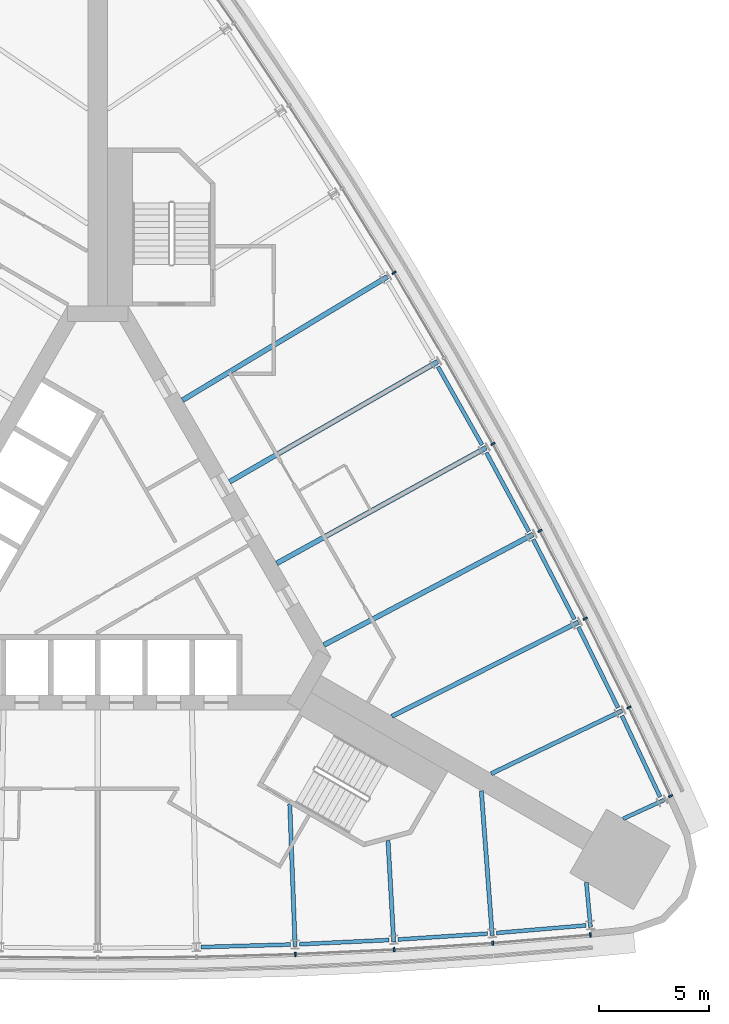
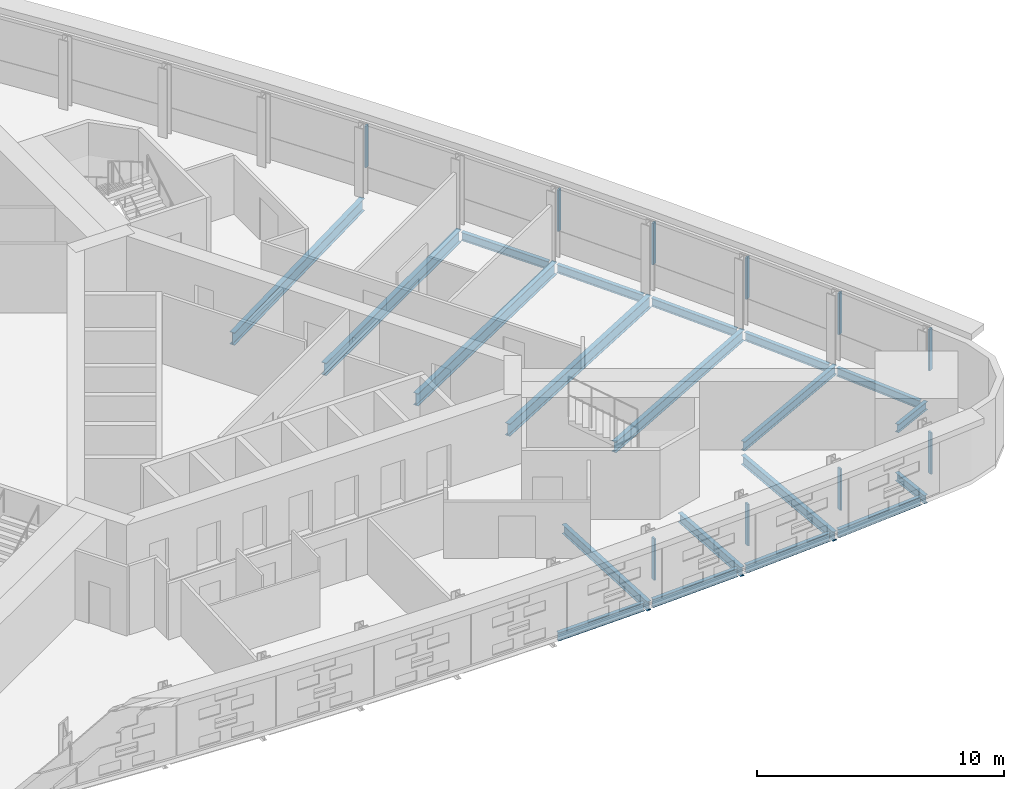
# One storey, part 6 of 14: 20 beams, 10 members, 2 elements without a shape of their own.
"""IFC4 building model written with IfcOpenShell, lengths in metres."""

from ifc_helpers import new_model, si_unit, direction, frame, origin, origin_2d, place, context, subcontext, project, spatial, rectangle, i_section, extrude, material, material_profile, profile_set, type_object, element, aggregate, save


model = new_model("IFC4")

# Units and contexts
model_context = context("Model", 3, precision=1e-05, world=origin(), true_north=direction((0.0, 1.0)))
body_context = subcontext(model_context, "Body", "Model", "MODEL_VIEW")
ifc_project = project(units=[si_unit("LENGTHUNIT", "METRE"), si_unit("AREAUNIT", "SQUARE_METRE"), si_unit("VOLUMEUNIT", "CUBIC_METRE"), si_unit("PLANEANGLEUNIT", "RADIAN"), si_unit("MASSUNIT", "GRAM", prefix="KILO")], contexts=[model_context])

# Site, building, storey
site_placement = place(None, origin())
site = spatial("IfcSite", under=ifc_project, at=site_placement, CompositionType="ELEMENT")
building_placement = place(site_placement, origin())
building = spatial("IfcBuilding", under=site, at=building_placement, Name="Noor Cloister Tower", CompositionType="ELEMENT")
storey_placement = place(building_placement, frame((0.0, 0.0, 42.0)))
storey = spatial("IfcBuildingStorey", under=building, at=storey_placement, Name="L10", CompositionType="ELEMENT", Elevation=42.0)

# Curtain wall, members
ifc_material_1 = material(Name="Aluminium 6063-T6 anodised", Category="aluminium")
curtain_wall_type = type_object("IfcCurtainWallType", Name="Ribbon curtain wall, lower tower CW1", PredefinedType="NOTDEFINED", material=ifc_material_1)
curtain_wall_1_placement = place(storey_placement, origin())
curtain_wall_1 = element("IfcCurtainWall", 1, at=curtain_wall_1_placement, inside=storey, type_object=curtain_wall_type, Name="CW1 L10 S run 2", PredefinedType="NOTDEFINED")
ifc_material_2 = material(Name="Aluminium 6063-T6 anodised", Category="aluminium")
ifc_material_profile_1 = material_profile(ifc_material_2, rectangle(XDim=0.199951171875, YDim=0.080078125, at=origin_2d()), Name="200 x 80 mullion")
ifc_profile_set_1 = profile_set([ifc_material_profile_1], Name="Aluminium 6063-T6 anodised")
member_type = type_object("IfcMemberType", Name="Mullion CW1 80 x 200", PredefinedType="MULLION", material=ifc_profile_set_1)
member_1_placement = place(storey_placement, frame((8.994140625, -18.038330078125, 1.10009765625), z_axis=(0.0, 0.0, 1.0), x_axis=(-0.037446096272, 0.99929864899, 0.0)))
member_1 = element("IfcMember", 2, at=member_1_placement, type_object=member_type, Name="CW1 mullion 8", PredefinedType="MULLION", context=body_context, shape_type="SweptSolid", body=[
    extrude(rectangle(XDim=0.199951171875, YDim=0.080078125, at=origin_2d()), origin(), (0.0, 0.0, 1.0), 2.0498046875),
])
member_2_placement = place(storey_placement, frame((13.4873046875, -17.827880859375, 1.10009765625), z_axis=(0.0, 0.0, 1.0), x_axis=(-0.056152719394, 0.998422191312, 0.0)))
member_2 = element("IfcMember", 3, at=member_2_placement, type_object=member_type, Name="CW1 mullion 9", PredefinedType="MULLION", context=body_context, shape_type="SweptSolid", body=[
    extrude(rectangle(XDim=0.199951171875, YDim=0.080078125, at=origin_2d()), origin(), (0.0, 0.0, 1.0), 2.0498046875),
])
member_3_placement = place(storey_placement, frame((17.9755859375, -17.533203125, 1.10009765625), z_axis=(0.0, 0.0, 1.0), x_axis=(-0.074839666829, 0.997195579748, 0.0)))
member_3 = element("IfcMember", 4, at=member_3_placement, type_object=member_type, Name="CW1 mullion 10", PredefinedType="MULLION", context=body_context, shape_type="SweptSolid", body=[
    extrude(rectangle(XDim=0.199951171875, YDim=0.080078125, at=origin_2d()), origin(), (0.0, 0.0, 1.0), 2.0498046875),
])
member_4_placement = place(storey_placement, frame((22.4189453125, -17.157958984375, 1.10009765625), z_axis=(0.0, 0.0, 1.0), x_axis=(-0.084173698584, 0.996451096877, 0.0)))
member_4 = element("IfcMember", 5, at=member_4_placement, type_object=member_type, Name="CW1 mullion 11", PredefinedType="MULLION", context=body_context, shape_type="SweptSolid", body=[
    extrude(rectangle(XDim=0.199951171875, YDim=0.080078125, at=origin_2d()), origin(), (0.0, 0.0, 1.0), 2.0498046875),
])
aggregate(curtain_wall_1, [member_1, member_2, member_3, member_4])

curtain_wall_2_placement = place(storey_placement, origin())
curtain_wall_2 = element("IfcCurtainWall", 6, at=curtain_wall_2_placement, inside=storey, type_object=curtain_wall_type, Name="CW1 L10 NE run 3", PredefinedType="NOTDEFINED")
member_5_placement = place(storey_placement, frame((26.068603515625, -10.83642578125, 1.10009765625), z_axis=(0.0, 0.0, 1.0), x_axis=(-0.905038812816, -0.425328987134, 0.0)))
member_5 = element("IfcMember", 7, at=member_5_placement, type_object=member_type, Name="CW1 mullion 1", PredefinedType="MULLION", context=body_context, shape_type="SweptSolid", body=[
    extrude(rectangle(XDim=0.199951171875, YDim=0.080078125, at=origin_2d()), origin(), (0.0, 0.0, 1.0), 2.0498046875),
])
member_6_placement = place(storey_placement, frame((24.172119140625, -6.80078125, 1.10009765625), z_axis=(0.0, 0.0, 1.0), x_axis=(-0.901016538018, -0.43378473719, 0.0)))
member_6 = element("IfcMember", 8, at=member_6_placement, type_object=member_type, Name="CW1 mullion 2", PredefinedType="MULLION", context=body_context, shape_type="SweptSolid", body=[
    extrude(rectangle(XDim=0.199951171875, YDim=0.080078125, at=origin_2d()), origin(), (0.0, 0.0, 1.0), 2.0498046875),
])
member_7_placement = place(storey_placement, frame((22.18310546875, -2.766357421875, 1.10009765625), z_axis=(0.0, 0.0, 1.0), x_axis=(-0.892735341075, -0.450581414169, 0.0)))
member_7 = element("IfcMember", 9, at=member_7_placement, type_object=member_type, Name="CW1 mullion 3", PredefinedType="MULLION", context=body_context, shape_type="SweptSolid", body=[
    extrude(rectangle(XDim=0.199951171875, YDim=0.080078125, at=origin_2d()), origin(), (0.0, 0.0, 1.0), 2.0498046875),
])
member_8_placement = place(storey_placement, frame((20.11865234375, 1.22998046875, 1.10009765625), z_axis=(0.0, 0.0, 1.0), x_axis=(-0.884141064129, -0.467220053851, 0.0)))
member_8 = element("IfcMember", 10, at=member_8_placement, type_object=member_type, Name="CW1 mullion 4", PredefinedType="MULLION", context=body_context, shape_type="SweptSolid", body=[
    extrude(rectangle(XDim=0.199951171875, YDim=0.080078125, at=origin_2d()), origin(), (0.0, 0.0, 1.0), 2.0498046875),
])
member_9_placement = place(storey_placement, frame((17.97998046875, 5.18701171875, 1.10009765625), z_axis=(0.0, 0.0, 1.0), x_axis=(-0.875236705229, -0.483694851967, 0.0)))
member_9 = element("IfcMember", 11, at=member_9_placement, type_object=member_type, Name="CW1 mullion 5", PredefinedType="MULLION", context=body_context, shape_type="SweptSolid", body=[
    extrude(rectangle(XDim=0.199951171875, YDim=0.080078125, at=origin_2d()), origin(), (0.0, 0.0, 1.0), 2.0498046875),
])
member_10_placement = place(storey_placement, frame((13.482177734375, 12.9775390625, 1.10009765625), z_axis=(0.0, 0.0, 1.0), x_axis=(-0.856510382098, -0.51612979507, 0.0)))
member_10 = element("IfcMember", 12, at=member_10_placement, type_object=member_type, Name="CW1 mullion 7", PredefinedType="MULLION", context=body_context, shape_type="SweptSolid", body=[
    extrude(rectangle(XDim=0.199951171875, YDim=0.080078125, at=origin_2d()), origin(), (0.0, 0.0, 1.0), 2.0498046875),
])
aggregate(curtain_wall_2, [member_5, member_6, member_7, member_8, member_9, member_10])

# Beams
ifc_material_3 = material(Name="Steel ASTM A992 Gr 50", Category="steel")
ifc_material_profile_2 = material_profile(ifc_material_3, i_section(OverallWidth=0.177978515625, OverallDepth=0.406005859375, WebThickness=0.0078125, FlangeThickness=0.0126953125, FilletRadius=0.01025390625, at=origin_2d()), Name="W410x60")
ifc_profile_set_2 = profile_set([ifc_material_profile_2], Name="Steel ASTM A992 Gr 50")
beam_type_1 = type_object("IfcBeamType", Name="Radial beam W410x60", PredefinedType="BEAM", material=ifc_profile_set_2)
for number, where, z_axis, x_axis, name in (
    (13, (22.4248046875, -16.80322265625, -0.403076171875), (-0.093533376396, 0.995616144656, 0.0), (-0.995616144656, -0.093533376396, 0.0), "Radial beam S 11 L10"),
    (14, (25.764404296875, -11.018798828125, -0.403076171875), (-0.908989304817, -0.416819437801, 0.0), (0.416819437801, -0.908989304817, 0.0), "Radial beam NE 01 L10"),
):
    element("IfcBeam", number, at=place(storey_placement, frame(where, z_axis=z_axis, x_axis=x_axis)), inside=storey, type_object=beam_type_1, Name=name, PredefinedType="BEAM", context=body_context, shape_type="SweptSolid", body=[
        extrude(i_section(OverallWidth=0.177978515625, OverallDepth=0.406005859375, WebThickness=0.0078125, FlangeThickness=0.0126953125, FilletRadius=0.01025390625, at=origin_2d()), origin(), (0.0, 0.0, 1.0), 2.041259765625),
    ])
ifc_material_4 = material(Name="Steel ASTM A992 Gr 50", Category="steel")
ifc_material_profile_3 = material_profile(ifc_material_4, i_section(OverallWidth=0.19091796875, OverallDepth=0.45703125, WebThickness=0.009033203125, FlangeThickness=0.014404296875, FilletRadius=0.01025390625, at=origin_2d()), Name="W460x74")
ifc_profile_set_3 = profile_set([ifc_material_profile_3], Name="Steel ASTM A992 Gr 50")
beam_type_2 = type_object("IfcBeamType", Name="Radial beam W460x74", PredefinedType="BEAM", material=ifc_profile_set_3)
beam_1_placement = place(storey_placement, frame((8.98095703125, -17.685546875, -0.428466796875), z_axis=(-0.037464260675, 0.999297968162, 0.0), x_axis=(-0.999297968162, -0.037464260675, 0.0)))
element("IfcBeam", 15, at=beam_1_placement, inside=storey, type_object=beam_type_2, Name="Radial beam S 08 L10", PredefinedType="BEAM", context=body_context, shape_type="SweptSolid", body=[
    extrude(i_section(OverallWidth=0.19091796875, OverallDepth=0.45703125, WebThickness=0.009033203125, FlangeThickness=0.014404296875, FilletRadius=0.01025390625, at=origin_2d()), origin(), (0.0, 0.0, 1.0), 6.484130859375),
])
beam_2_placement = place(storey_placement, frame((13.467529296875, -17.475341796875, -0.428466796875), z_axis=(-0.05616516418, 0.998421491321, 0.0), x_axis=(-0.998421491321, -0.05616516418, 0.0)))
element("IfcBeam", 16, at=beam_2_placement, inside=storey, type_object=beam_type_2, Name="Radial beam S 09 L10", PredefinedType="BEAM", context=body_context, shape_type="SweptSolid", body=[
    extrude(i_section(OverallWidth=0.19091796875, OverallDepth=0.45703125, WebThickness=0.009033203125, FlangeThickness=0.014404296875, FilletRadius=0.01025390625, at=origin_2d()), origin(), (0.0, 0.0, 1.0), 4.62939453125),
])
beam_3_placement = place(storey_placement, frame((17.94921875, -17.18115234375, -0.428466796875), z_axis=(-0.074844186113, 0.997195240565, 0.0), x_axis=(-0.997195240565, -0.074844186113, 0.0)))
element("IfcBeam", 17, at=beam_3_placement, inside=storey, type_object=beam_type_2, Name="Radial beam S 10 L10", PredefinedType="BEAM", context=body_context, shape_type="SweptSolid", body=[
    extrude(i_section(OverallWidth=0.19091796875, OverallDepth=0.45703125, WebThickness=0.009033203125, FlangeThickness=0.014404296875, FilletRadius=0.01025390625, at=origin_2d()), origin(), (0.0, 0.0, 1.0), 6.602294921875),
])
beam_4_placement = place(storey_placement, frame((23.85400390625, -6.953857421875, -0.428466796875), z_axis=(-0.901019869253, -0.433777817795, 0.0), x_axis=(0.433777817795, -0.901019869253, 0.0)))
element("IfcBeam", 18, at=beam_4_placement, inside=storey, type_object=beam_type_2, Name="Radial beam NE 02 L10", PredefinedType="BEAM", context=body_context, shape_type="SweptSolid", body=[
    extrude(i_section(OverallWidth=0.19091796875, OverallDepth=0.45703125, WebThickness=0.009033203125, FlangeThickness=0.014404296875, FilletRadius=0.01025390625, at=origin_2d()), origin(), (0.0, 0.0, 1.0), 6.6025390625),
])
ifc_material_5 = material(Name="Steel ASTM A992 Gr 50", Category="steel")
ifc_material_profile_4 = material_profile(ifc_material_5, i_section(OverallWidth=0.208984375, OverallDepth=0.532958984375, WebThickness=0.01025390625, FlangeThickness=0.015625, FilletRadius=0.0126953125, at=origin_2d()), Name="W530x92")
ifc_profile_set_4 = profile_set([ifc_material_profile_4], Name="Steel ASTM A992 Gr 50")
beam_type_3 = type_object("IfcBeamType", Name="Radial beam W530x92", PredefinedType="BEAM", material=ifc_profile_set_4)
beam_5_placement = place(storey_placement, frame((21.867919921875, -2.925537109375, -0.466552734375), z_axis=(-0.89274077649, -0.450570644841, 0.0), x_axis=(0.450570644841, -0.89274077649, 0.0)))
element("IfcBeam", 19, at=beam_5_placement, inside=storey, type_object=beam_type_3, Name="Radial beam NE 03 L10", PredefinedType="BEAM", context=body_context, shape_type="SweptSolid", body=[
    extrude(i_section(OverallWidth=0.208984375, OverallDepth=0.532958984375, WebThickness=0.01025390625, FlangeThickness=0.015625, FilletRadius=0.0126953125, at=origin_2d()), origin(), (0.0, 0.0, 1.0), 9.50341796875),
])
ifc_material_6 = material(Name="Steel ASTM A992 Gr 50", Category="steel")
ifc_material_profile_5 = material_profile(ifc_material_6, i_section(OverallWidth=0.22802734375, OverallDepth=0.60205078125, WebThickness=0.010498046875, FlangeThickness=0.014892578125, FilletRadius=0.0126953125, at=origin_2d()), Name="W610x101")
ifc_profile_set_5 = profile_set([ifc_material_profile_5], Name="Steel ASTM A992 Gr 50")
beam_type_4 = type_object("IfcBeamType", Name="Radial beam W610x101", PredefinedType="BEAM", material=ifc_profile_set_5)
beam_6_placement = place(storey_placement, frame((19.806640625, 1.065185546875, -0.5009765625), z_axis=(-0.884135761782, -0.467230087578, 0.0), x_axis=(0.467230087578, -0.884135761782, 0.0)))
element("IfcBeam", 20, at=beam_6_placement, inside=storey, type_object=beam_type_4, Name="Radial beam NE 04 L10", PredefinedType="BEAM", context=body_context, shape_type="SweptSolid", body=[
    extrude(i_section(OverallWidth=0.22802734375, OverallDepth=0.60205078125, WebThickness=0.010498046875, FlangeThickness=0.014892578125, FilletRadius=0.0126953125, at=origin_2d()), origin(), (0.0, 0.0, 1.0), 10.76513671875),
])
ifc_material_7 = material(Name="Steel ASTM A992 Gr 50", Category="steel")
ifc_material_profile_6 = material_profile(ifc_material_7, i_section(OverallWidth=0.22900390625, OverallDepth=0.612060546875, WebThickness=0.011962890625, FlangeThickness=0.01953125, FilletRadius=0.0126953125, at=origin_2d()), Name="W610x125")
ifc_profile_set_6 = profile_set([ifc_material_profile_6], Name="Steel ASTM A992 Gr 50")
beam_type_5 = type_object("IfcBeamType", Name="Radial beam W610x125", PredefinedType="BEAM", material=ifc_profile_set_6)
beam_7_placement = place(storey_placement, frame((17.671142578125, 5.016357421875, -0.506103515625), z_axis=(-0.875231041062, -0.48370510103, 0.0), x_axis=(0.48370510103, -0.875231041062, 0.0)))
element("IfcBeam", 21, at=beam_7_placement, inside=storey, type_object=beam_type_5, Name="Radial beam NE 05 L10", PredefinedType="BEAM", context=body_context, shape_type="SweptSolid", body=[
    extrude(i_section(OverallWidth=0.22900390625, OverallDepth=0.612060546875, WebThickness=0.011962890625, FlangeThickness=0.01953125, FilletRadius=0.0126953125, at=origin_2d()), origin(), (0.0, 0.0, 1.0), 10.885498046875),
])
beam_8_placement = place(storey_placement, frame((15.4619140625, 8.927001953125, -0.506103515625), z_axis=(-0.866023343127, -0.500003569146, 0.0), x_axis=(0.500003569146, -0.866023343127, 0.0)))
element("IfcBeam", 22, at=beam_8_placement, inside=storey, type_object=beam_type_5, Name="Radial beam NE 06 L10", PredefinedType="BEAM", context=body_context, shape_type="SweptSolid", body=[
    extrude(i_section(OverallWidth=0.22900390625, OverallDepth=0.612060546875, WebThickness=0.011962890625, FlangeThickness=0.01953125, FilletRadius=0.0126953125, at=origin_2d()), origin(), (0.0, 0.0, 1.0), 10.92578125),
])
beam_9_placement = place(storey_placement, frame((13.1796875, 12.79541015625, -0.506103515625), z_axis=(-0.856505836488, -0.516137338372, 0.0), x_axis=(0.516137338372, -0.856505836488, 0.0)))
element("IfcBeam", 23, at=beam_9_placement, inside=storey, type_object=beam_type_5, Name="Radial beam NE 07 L10", PredefinedType="BEAM", context=body_context, shape_type="SweptSolid", body=[
    extrude(i_section(OverallWidth=0.22900390625, OverallDepth=0.612060546875, WebThickness=0.011962890625, FlangeThickness=0.01953125, FilletRadius=0.0126953125, at=origin_2d()), origin(), (0.0, 0.0, 1.0), 10.885498046875),
])
ifc_material_8 = material(Name="Steel ASTM A992 Gr 50", Category="steel")
ifc_material_profile_7 = material_profile(ifc_material_8, i_section(OverallWidth=0.177978515625, OverallDepth=0.406005859375, WebThickness=0.0078125, FlangeThickness=0.0126953125, FilletRadius=0.01025390625, at=origin_2d()), Name="W410x60")
ifc_profile_set_7 = profile_set([ifc_material_profile_7], Name="Steel ASTM A992 Gr 50")
beam_type_6 = type_object("IfcBeamType", Name="Spandrel beam W410x60", PredefinedType="SPANDREL", material=ifc_profile_set_7)
beam_10_placement = place(storey_placement, frame((4.69140625, -17.708984375, -0.403076171875), z_axis=(0.999605523948, 0.028085521058, 0.0), x_axis=(-0.028085521058, 0.999605523948, 0.0)))
element("IfcBeam", 24, at=beam_10_placement, inside=storey, type_object=beam_type_6, Name="Spandrel beam S 07 L10", PredefinedType="SPANDREL", context=body_context, shape_type="SweptSolid", body=[
    extrude(i_section(OverallWidth=0.177978515625, OverallDepth=0.406005859375, WebThickness=0.0078125, FlangeThickness=0.0126953125, FilletRadius=0.01025390625, at=origin_2d()), origin(), (0.0, 0.0, 1.0), 4.085693359375),
])
beam_11_placement = place(storey_placement, frame((9.17919921875, -17.5791015625, -0.403076171875), z_axis=(0.998904745987, 0.046790046429, 0.0), x_axis=(-0.046790046429, 0.998904745987, 0.0)))
element("IfcBeam", 25, at=beam_11_placement, inside=storey, type_object=beam_type_6, Name="Spandrel beam S 08 L10", PredefinedType="SPANDREL", context=body_context, shape_type="SweptSolid", body=[
    extrude(i_section(OverallWidth=0.177978515625, OverallDepth=0.406005859375, WebThickness=0.0078125, FlangeThickness=0.0126953125, FilletRadius=0.01025390625, at=origin_2d()), origin(), (0.0, 0.0, 1.0), 4.08544921875),
])
beam_12_placement = place(storey_placement, frame((13.66357421875, -17.365234375, -0.403076171875), z_axis=(0.997853109694, 0.065491766467, 0.0), x_axis=(-0.065491766467, 0.997853109694, 0.0)))
element("IfcBeam", 26, at=beam_12_placement, inside=storey, type_object=beam_type_6, Name="Spandrel beam S 09 L10", PredefinedType="SPANDREL", context=body_context, shape_type="SweptSolid", body=[
    extrude(i_section(OverallWidth=0.177978515625, OverallDepth=0.406005859375, WebThickness=0.0078125, FlangeThickness=0.0126953125, FilletRadius=0.01025390625, at=origin_2d()), origin(), (0.0, 0.0, 1.0), 4.085693359375),
])
beam_13_placement = place(storey_placement, frame((18.143310546875, -17.0673828125, -0.403076171875), z_axis=(0.996454080445, 0.08413837153, 0.0), x_axis=(-0.08413837153, 0.996454080445, 0.0)))
element("IfcBeam", 27, at=beam_13_placement, inside=storey, type_object=beam_type_6, Name="Spandrel beam S 10 L10", PredefinedType="SPANDREL", context=body_context, shape_type="SweptSolid", body=[
    extrude(i_section(OverallWidth=0.177978515625, OverallDepth=0.406005859375, WebThickness=0.0078125, FlangeThickness=0.0126953125, FilletRadius=0.01025390625, at=origin_2d()), origin(), (0.0, 0.0, 1.0), 4.08544921875),
])
beam_14_placement = place(storey_placement, frame((25.59033203125, -10.87646484375, -0.403076171875), z_axis=(-0.425330795052, 0.905037963171, 0.0), x_axis=(-0.905037963171, -0.425330795052, 0.0)))
element("IfcBeam", 28, at=beam_14_placement, inside=storey, type_object=beam_type_6, Name="Spandrel beam NE 01 L10", PredefinedType="SPANDREL", context=body_context, shape_type="SweptSolid", body=[
    extrude(i_section(OverallWidth=0.177978515625, OverallDepth=0.406005859375, WebThickness=0.0078125, FlangeThickness=0.0126953125, FilletRadius=0.01025390625, at=origin_2d()), origin(), (0.0, 0.0, 1.0), 4.085693359375),
])
beam_15_placement = place(storey_placement, frame((23.67724609375, -6.814697265625, -0.403076171875), z_axis=(-0.442210832263, 0.896911132626, 0.0), x_axis=(-0.896911132626, -0.442210832263, 0.0)))
element("IfcBeam", 29, at=beam_15_placement, inside=storey, type_object=beam_type_6, Name="Spandrel beam NE 02 L10", PredefinedType="SPANDREL", context=body_context, shape_type="SweptSolid", body=[
    extrude(i_section(OverallWidth=0.177978515625, OverallDepth=0.406005859375, WebThickness=0.0078125, FlangeThickness=0.0126953125, FilletRadius=0.01025390625, at=origin_2d()), origin(), (0.0, 0.0, 1.0), 4.08544921875),
])
for number, where, z_axis, x_axis, name in (
    (30, (21.6884765625, -2.789794921875, -0.403076171875), (-0.458910785429, 0.888482352676, 0.0), (-0.888482352676, -0.458910785429, 0.0), "Spandrel beam NE 03 L10"),
    (31, (19.624755859375, 1.197509765625, -0.403076171875), (-0.475478288793, 0.879727456027, 0.0), (-0.879727456027, -0.475478288793, 0.0), "Spandrel beam NE 04 L10"),
    (32, (17.48681640625, 5.145263671875, -0.403076171875), (-0.491840652179, 0.870685231794, 0.0), (-0.870685231794, -0.491840652179, 0.0), "Spandrel beam NE 05 L10"),
):
    element("IfcBeam", number, at=place(storey_placement, frame(where, z_axis=z_axis, x_axis=x_axis)), inside=storey, type_object=beam_type_6, Name=name, PredefinedType="SPANDREL", context=body_context, shape_type="SweptSolid", body=[
        extrude(i_section(OverallWidth=0.177978515625, OverallDepth=0.406005859375, WebThickness=0.0078125, FlangeThickness=0.0126953125, FilletRadius=0.01025390625, at=origin_2d()), origin(), (0.0, 0.0, 1.0), 4.085693359375),
    ])

save(model, "model.ifc")
